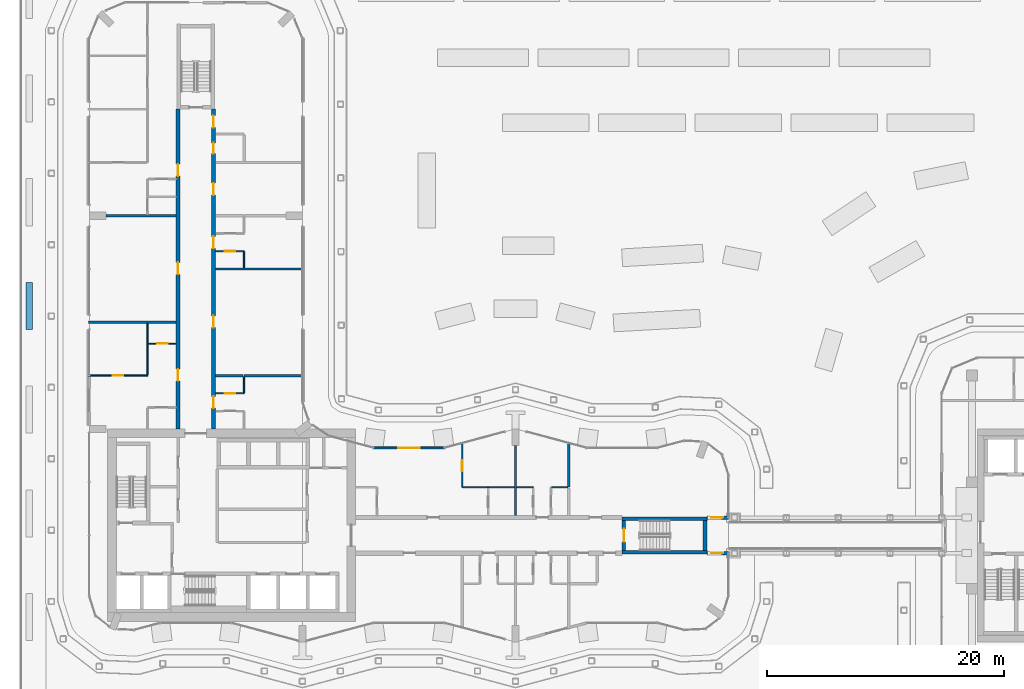
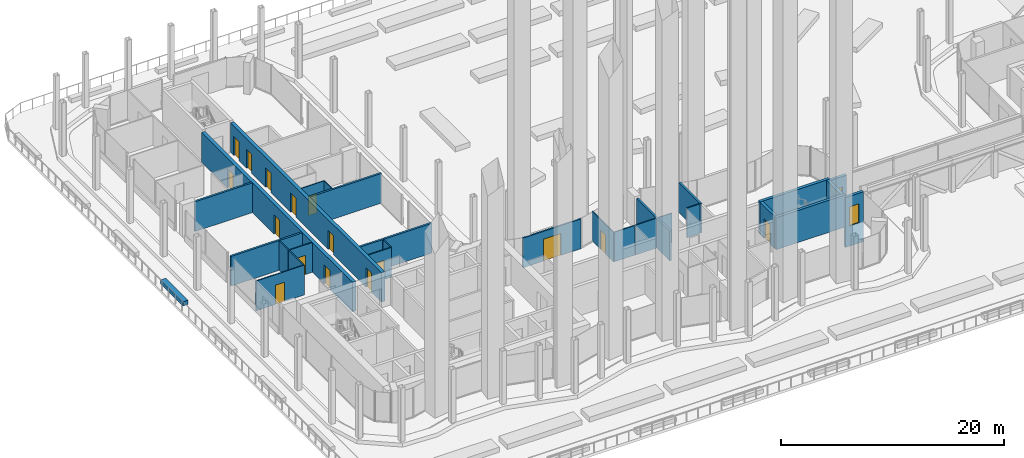
# One storey, part 25 of 33: 30 walls, 18 doors, 18 openings.
"""IFC4 building model written with IfcOpenShell, lengths in metres."""

import ifcopenshell
import ifcopenshell.guid

model = None  # the IFC model being written
_history = None  # IfcOwnerHistory: only IFC2X3 demands one
_inside = {}  # id of a spatial element -> (the spatial element, [elements in it])
_under = {}  # id of a project, library or spatial element -> (it, [spatial elements below it])
_declared = {}  # id of a project -> (the project, [libraries it declares])
_typed = {}  # id of a type object -> (the type object, [elements of that type])
_made_of = {}  # id of a material, layer set ... -> (it, [elements and type objects made of it])


def new_model(schema):
    """Start an empty IFC model of exactly this schema.

    Asked for "IFC4X3", IfcOpenShell would pick the latest addendum, in which some entities
    have other attributes; the version numbers below select the first issue.
    IFC2X3 requires an IfcOwnerHistory on every rooted entity: one is made here for all.
    """
    global model, _history
    if schema == "IFC4X3":
        model = ifcopenshell.file(schema_version=(4, 3, 0, 0))
    else:
        model = ifcopenshell.file(schema=schema)
    _inside.clear()
    _under.clear()
    _declared.clear()
    _typed.clear()
    _made_of.clear()
    _history = None
    if model.schema == "IFC2X3":
        org = make("IfcOrganization", Name="unknown")
        user = make(
            "IfcPersonAndOrganization",
            ThePerson=make("IfcPerson", FamilyName="unknown"),
            TheOrganization=org,
        )
        app = make(
            "IfcApplication",
            ApplicationDeveloper=org,
            Version="unknown",
            ApplicationFullName="unknown",
            ApplicationIdentifier="unknown",
        )
        _history = make(
            "IfcOwnerHistory",
            OwningUser=user,
            OwningApplication=app,
            ChangeAction="ADDED",
            CreationDate=0,
        )
    return model


def make(cls, **values):
    """One entity of the class cls with the attributes given. An attribute that is None is left unset."""
    return model.create_entity(
        cls, **{name: value for name, value in values.items() if value is not None}
    )


def rooted(cls, **values):
    """An entity with a GlobalId (a new one), such as an element, a storey or a relation."""
    return make(cls, GlobalId=ifcopenshell.guid.new(), OwnerHistory=_history, **values)


def si_unit(unit_type, name, prefix=None):
    """IfcSIUnit, for example si_unit("LENGTHUNIT", "METRE", prefix="MILLI")."""
    return make("IfcSIUnit", UnitType=unit_type, Prefix=prefix, Name=name)


def assignment(units):
    """IfcUnitAssignment: the units of a project."""
    return None if units is None else make("IfcUnitAssignment", Units=units)


def point(xyz):
    """IfcCartesianPoint."""
    return None if xyz is None else make("IfcCartesianPoint", Coordinates=xyz)


def direction(xyz):
    """IfcDirection."""
    return None if xyz is None else make("IfcDirection", DirectionRatios=xyz)


def frame(location, z_axis=None, x_axis=None):
    """IfcAxis2Placement3D, a coordinate frame: its origin and axes. An axis left out is left unset."""
    return make(
        "IfcAxis2Placement3D",
        Location=point(location),
        Axis=direction(z_axis),
        RefDirection=direction(x_axis),
    )


def frame_2d(location, x_axis=None):
    """IfcAxis2Placement2D, a coordinate frame in the plane: its origin and x axis."""
    return make(
        "IfcAxis2Placement2D", Location=point(location), RefDirection=direction(x_axis)
    )


def origin():
    """The frame at (0, 0, 0) with its axes left unset."""
    return frame((0.0, 0.0, 0.0))


def place(relative_to, where):
    """IfcLocalPlacement: puts the frame where relative to a parent placement (None: the world)."""
    return make(
        "IfcLocalPlacement", PlacementRelTo=relative_to, RelativePlacement=where
    )


def context(
    kind, dimensions, precision=None, world=None, true_north=None, identifier=None
):
    """IfcGeometricRepresentationContext, for example the 3D "Model" context."""
    return make(
        "IfcGeometricRepresentationContext",
        ContextIdentifier=identifier,
        ContextType=kind,
        CoordinateSpaceDimension=dimensions,
        Precision=precision,
        WorldCoordinateSystem=world,
        TrueNorth=true_north,
    )


def subcontext(parent, identifier, kind, view, scale=None):
    """IfcGeometricRepresentationSubContext, for example "Body" below "Model"."""
    return make(
        "IfcGeometricRepresentationSubContext",
        ContextIdentifier=identifier,
        ContextType=kind,
        ParentContext=parent,
        TargetScale=scale,
        TargetView=view,
    )


def project(units=None, contexts=None):
    """IfcProject with its units and contexts."""
    return rooted(
        "IfcProject",
        Name="project",
        RepresentationContexts=contexts,
        UnitsInContext=assignment(units),
    )


def spatial(cls, under=None, at=None, **own):
    """A site, building, storey or space (cls), placed at a placement, below another one or the project."""
    s = rooted(cls, ObjectPlacement=at, **own)
    if under is not None:
        _under.setdefault(under.id(), (under, []))[1].append(s)
    return s


def profile(cls, at=None, kind="AREA", **sizes):
    """A parametric profile (cls). Its sizes go by their IFC names, for example OverallWidth=200.0."""
    return make(cls, ProfileType=kind, Position=at, **sizes)


def rectangle(**sizes):
    """IfcRectangleProfileDef."""
    return profile("IfcRectangleProfileDef", **sizes)


def extrude(swept, where, along, depth):
    """IfcExtrudedAreaSolid: the profile swept, set in the frame where, extruded along a direction by depth."""
    return make(
        "IfcExtrudedAreaSolid",
        SweptArea=swept,
        Position=where,
        ExtrudedDirection=direction(along),
        Depth=depth,
    )


def shape(context_of_items, identifier, shape_type, items):
    """IfcShapeRepresentation: the items that make up one representation, for example the "Body"."""
    return make(
        "IfcShapeRepresentation",
        ContextOfItems=context_of_items,
        RepresentationIdentifier=identifier,
        RepresentationType=shape_type,
        Items=items,
    )


def material(Name=None, Category=None):
    """IfcMaterial."""
    return make("IfcMaterial", Name=Name, Category=Category)


def layer(
    of_material, thickness, ventilated=None, Name=None, Category=None, Priority=None
):
    """IfcMaterialLayer: one layer of a wall or slab, of a material (None: an air gap)."""
    return make(
        "IfcMaterialLayer",
        Material=of_material,
        LayerThickness=thickness,
        IsVentilated=ventilated,
        Name=Name,
        Category=Category,
        Priority=Priority,
    )


def layer_set(layers, Name=None):
    """IfcMaterialLayerSet."""
    return make("IfcMaterialLayerSet", MaterialLayers=layers, LayerSetName=Name)


def made_of(thing, what):
    """Note that an element or type object is made of a material, layer set ...; save() writes the relation."""
    if what is not None:
        _made_of.setdefault(what.id(), (what, []))[1].append(thing)
    return thing


def type_object(cls, material=None, **own):
    """A type object (cls), such as IfcWallType, which elements share."""
    return made_of(rooted(cls, **own), material)


def element(
    cls,
    number,
    at=None,
    inside=None,
    cuts=None,
    type_object=None,
    material=None,
    context=None,
    identifier="Body",
    shape_type=None,
    held_by="IfcProductDefinitionShape",
    body=None,
    shapes=None,
    **own,
):
    """One element of the class cls, such as IfcWall. Its Tag is "e" and its number.

    at: its placement. inside: the storey or other place that contains it. cuts: it is an
    opening in that element (IfcRelVoidsElement). A single representation is given by context,
    identifier, shape_type and body (its items); several are given by shapes. held_by: the class
    of the entity that holds the representations. save() writes the other relations.
    """
    e = rooted(cls, Tag="e%d" % number, ObjectPlacement=at, **own)
    if body is not None:
        shapes = [shape(context, identifier, shape_type, body)]
    if shapes is not None:
        e.Representation = make(held_by, Representations=shapes)
    if inside is not None:
        _inside.setdefault(inside.id(), (inside, []))[1].append(e)
    if cuts is not None:
        rooted(
            "IfcRelVoidsElement", RelatingBuildingElement=cuts, RelatedOpeningElement=e
        )
    if type_object is not None:
        _typed.setdefault(type_object.id(), (type_object, []))[1].append(e)
    return made_of(e, material)


def fill(opening, filler):
    """IfcRelFillsElement: the door or window that sits in an opening."""
    return rooted(
        "IfcRelFillsElement",
        RelatingOpeningElement=opening,
        RelatedBuildingElement=filler,
    )


def aggregate(whole, parts):
    """IfcRelAggregates: a whole, such as a stair, and the parts it consists of."""
    return rooted("IfcRelAggregates", RelatingObject=whole, RelatedObjects=parts)


def save(model, path):
    """Write the relations noted so far, then the file.

    IfcRelAggregates (storeys below a building ...), IfcRelContainedInSpatialStructure (elements
    in a storey), IfcRelDefinesByType, IfcRelAssociatesMaterial and IfcRelDeclares: one each for
    every whole, place, type object, material and project.
    """
    for whole, parts in _under.values():
        aggregate(whole, parts)
    for where, things in _inside.values():
        rooted(
            "IfcRelContainedInSpatialStructure",
            RelatedElements=things,
            RelatingStructure=where,
        )
    for kind, things in _typed.values():
        rooted("IfcRelDefinesByType", RelatedObjects=things, RelatingType=kind)
    for what, things in _made_of.values():
        rooted("IfcRelAssociatesMaterial", RelatedObjects=things, RelatingMaterial=what)
    for by, libraries in _declared.values():
        rooted("IfcRelDeclares", RelatingContext=by, RelatedDefinitions=libraries)
    model.write(path)


model = new_model("IFC4")

# Units and contexts
model_context = context("Model", 3, precision=1e-05, world=origin(), true_north=direction((0.0, 1.0)))
body_context = subcontext(model_context, "Body", "Model", "MODEL_VIEW")
ifc_project = project(units=[si_unit("LENGTHUNIT", "METRE"), si_unit("AREAUNIT", "SQUARE_METRE"), si_unit("VOLUMEUNIT", "CUBIC_METRE"), si_unit("PLANEANGLEUNIT", "RADIAN"), si_unit("MASSUNIT", "GRAM", prefix="KILO")], contexts=[model_context])

# Site, building, storey
site_placement = place(None, origin())
site = spatial("IfcSite", under=ifc_project, at=site_placement, CompositionType="ELEMENT")
building_placement = place(site_placement, origin())
building = spatial("IfcBuilding", under=site, at=building_placement, Name="Plateau Cross Towers", CompositionType="ELEMENT")
storey_placement = place(building_placement, frame((0.0, 0.0, 26.800048828125)))
storey = spatial("IfcBuildingStorey", under=building, at=storey_placement, Name="L05", CompositionType="ELEMENT", Elevation=26.800048828125)

# Wall, opening, door
ifc_material_1 = material(Name="Concrete C60/75", Category="concrete")
ifc_layer_1 = layer(ifc_material_1, 0.300048828125)
ifc_layer_set_1 = layer_set([ifc_layer_1], Name="Concrete C60/75")
wall_type_1 = type_object("IfcWallType", Name="Bridge stub wall 300", PredefinedType="SHEAR", material=ifc_layer_set_1)
wall_1_placement = place(storey_placement, frame((52.14990234375, 7.5, -2.199951171875), z_axis=(0.0, 0.0, 1.0), x_axis=(1.0, 0.0, 0.0)))
wall_1 = element("IfcWall", 1, at=wall_1_placement, inside=storey, type_object=wall_type_1, Name="A-end-E-bridge-S@L05", PredefinedType="SHEAR", context=body_context, shape_type="SweptSolid", body=[
    extrude(rectangle(XDim=1.85009765625, YDim=0.300048828125, at=frame_2d((0.925048828125, 0.0))), origin(), (0.0, 0.0, 1.0), 5.449951171875),
])
opening_1_placement = place(wall_1_placement, frame((0.39990234375, 0.0, 2.199951171875)))
opening_1 = element("IfcOpeningElement", 2, at=opening_1_placement, cuts=wall_1, Name="Opening 05-39", PredefinedType="OPENING", context=body_context, shape_type="SweptSolid", body=[
    extrude(rectangle(XDim=1.0, YDim=2.10009765625, at=frame_2d((0.5, 1.050048828125))), frame((0.0, 0.159912109375, 0.0), z_axis=(0.0, -1.0, 0.0), x_axis=(1.0, 0.0, 0.0)), (0.0, 0.0, 1.0), 0.320068359375),
])
ifc_material_2 = material(Name="Timber, fire-resisting leaf", Category="wood")
door_type_1 = type_object("IfcDoorType", Name="Link lounge fire door 1000", OperationType="NOTDEFINED", PredefinedType="DOOR", material=ifc_material_2)
door_1_placement = place(opening_1_placement, origin())
door_1 = element("IfcDoor", 3, at=door_1_placement, inside=storey, type_object=door_type_1, Name="Door 05-39", OperationType="SINGLE_SWING_LEFT", OverallHeight=2.10009765625, OverallWidth=1.0, PredefinedType="DOOR", context=body_context, shape_type="SweptSolid", body=[
    extrude(rectangle(XDim=1.0, YDim=2.10009765625, at=frame_2d((0.5, 1.050048828125))), frame((0.0, 0.02490234375, 0.0), z_axis=(0.0, -1.0, 0.0), x_axis=(1.0, 0.0, 0.0)), (0.0, 0.0, 1.0), 0.050048828125),
])
fill(opening_1, door_1)

wall_2_placement = place(storey_placement, frame((52.14990234375, 10.5, -2.199951171875), z_axis=(0.0, 0.0, 1.0), x_axis=(1.0, 0.0, 0.0)))
wall_2 = element("IfcWall", 4, at=wall_2_placement, inside=storey, type_object=wall_type_1, Name="A-end-E-bridge-N@L05", PredefinedType="SHEAR", context=body_context, shape_type="SweptSolid", body=[
    extrude(rectangle(XDim=1.85009765625, YDim=0.300048828125, at=frame_2d((0.925048828125, 0.0))), origin(), (0.0, 0.0, 1.0), 5.449951171875),
])
opening_2_placement = place(wall_2_placement, frame((0.39990234375, 0.0, 2.199951171875)))
opening_2 = element("IfcOpeningElement", 5, at=opening_2_placement, cuts=wall_2, Name="Opening 05-40", PredefinedType="OPENING", context=body_context, shape_type="SweptSolid", body=[
    extrude(rectangle(XDim=1.0, YDim=2.10009765625, at=frame_2d((0.5, 1.050048828125))), frame((0.0, 0.159912109375, 0.0), z_axis=(0.0, -1.0, 0.0), x_axis=(1.0, 0.0, 0.0)), (0.0, 0.0, 1.0), 0.320068359375),
])
door_2_placement = place(opening_2_placement, origin())
door_2 = element("IfcDoor", 6, at=door_2_placement, inside=storey, type_object=door_type_1, Name="Door 05-40", OperationType="SINGLE_SWING_LEFT", OverallHeight=2.10009765625, OverallWidth=1.0, PredefinedType="DOOR", context=body_context, shape_type="SweptSolid", body=[
    extrude(rectangle(XDim=1.0, YDim=2.10009765625, at=frame_2d((0.5, 1.050048828125))), frame((0.0, 0.02490234375, 0.0), z_axis=(0.0, -1.0, 0.0), x_axis=(1.0, 0.0, 0.0)), (0.0, 0.0, 1.0), 0.050048828125),
])
fill(opening_2, door_2)

# Wall, openings, doors
ifc_layer_2 = layer(ifc_material_1, 0.35009765625)
ifc_layer_set_2 = layer_set([ifc_layer_2], Name="Concrete C60/75")
wall_type_2 = type_object("IfcWallType", Name="Corridor wall 350", PredefinedType="SHEAR", material=ifc_layer_set_2)
wall_3_placement = place(storey_placement, frame((7.5, 18.0, 0.0), z_axis=(0.0, 0.0, 1.0), x_axis=(0.0, 1.0, 0.0)))
wall_3 = element("IfcWall", 7, at=wall_3_placement, inside=storey, type_object=wall_type_2, Name="A-cw-W1@L05", PredefinedType="SHEAR", context=body_context, shape_type="SweptSolid", body=[
    extrude(rectangle(XDim=27.0, YDim=0.35009765625, at=frame_2d((13.5, 0.0))), origin(), (0.0, 0.0, 1.0), 3.25),
])
opening_3_placement = place(wall_3_placement, frame((4.050048828125, 0.0, 0.0)))
opening_3 = element("IfcOpeningElement", 8, at=opening_3_placement, cuts=wall_3, Name="Opening 05-09", PredefinedType="OPENING", context=body_context, shape_type="SweptSolid", body=[
    extrude(rectangle(XDim=1.0, YDim=2.10009765625, at=frame_2d((0.5, 1.050048828125))), frame((0.0, 0.18505859375, 0.0), z_axis=(0.0, -1.0, 0.0), x_axis=(1.0, 0.0, 0.0)), (0.0, 0.0, 1.0), 0.3701171875),
])
opening_4_placement = place(wall_3_placement, frame((13.050048828125, 0.0, 0.0)))
opening_4 = element("IfcOpeningElement", 9, at=opening_4_placement, cuts=wall_3, Name="Opening 05-10", PredefinedType="OPENING", context=body_context, shape_type="SweptSolid", body=[
    extrude(rectangle(XDim=1.0, YDim=2.10009765625, at=frame_2d((0.5, 1.050048828125))), frame((0.0, 0.18505859375, 0.0), z_axis=(0.0, -1.0, 0.0), x_axis=(1.0, 0.0, 0.0)), (0.0, 0.0, 1.0), 0.3701171875),
])
opening_5_placement = place(wall_3_placement, frame((21.35009765625, 0.0, 0.0)))
opening_5 = element("IfcOpeningElement", 10, at=opening_5_placement, cuts=wall_3, Name="Opening 05-11", PredefinedType="OPENING", context=body_context, shape_type="SweptSolid", body=[
    extrude(rectangle(XDim=1.0, YDim=2.10009765625, at=frame_2d((0.5, 1.050048828125))), frame((0.0, 0.18505859375, 0.0), z_axis=(0.0, -1.0, 0.0), x_axis=(1.0, 0.0, 0.0)), (0.0, 0.0, 1.0), 0.3701171875),
])
door_type_2 = type_object("IfcDoorType", Name="Flat entrance door 1000", OperationType="NOTDEFINED", PredefinedType="DOOR", material=ifc_material_2)
door_3_placement = place(opening_3_placement, origin())
door_3 = element("IfcDoor", 11, at=door_3_placement, inside=storey, type_object=door_type_2, Name="Door 05-09", OperationType="SINGLE_SWING_LEFT", OverallHeight=2.10009765625, OverallWidth=1.0, PredefinedType="DOOR", context=body_context, shape_type="SweptSolid", body=[
    extrude(rectangle(XDim=1.0, YDim=2.10009765625, at=frame_2d((0.5, 1.050048828125))), frame((0.0, 0.02490234375, 0.0), z_axis=(0.0, -1.0, 0.0), x_axis=(1.0, 0.0, 0.0)), (0.0, 0.0, 1.0), 0.050048828125),
])
fill(opening_3, door_3)
door_4_placement = place(opening_4_placement, origin())
door_4 = element("IfcDoor", 12, at=door_4_placement, inside=storey, type_object=door_type_2, Name="Door 05-10", OperationType="SINGLE_SWING_RIGHT", OverallHeight=2.10009765625, OverallWidth=1.0, PredefinedType="DOOR", context=body_context, shape_type="SweptSolid", body=[
    extrude(rectangle(XDim=1.0, YDim=2.10009765625, at=frame_2d((0.5, 1.050048828125))), frame((0.0, 0.02490234375, 0.0), z_axis=(0.0, -1.0, 0.0), x_axis=(1.0, 0.0, 0.0)), (0.0, 0.0, 1.0), 0.050048828125),
])
fill(opening_4, door_4)
door_5_placement = place(opening_5_placement, origin())
door_5 = element("IfcDoor", 13, at=door_5_placement, inside=storey, type_object=door_type_2, Name="Door 05-11", OperationType="SINGLE_SWING_RIGHT", OverallHeight=2.10009765625, OverallWidth=1.0, PredefinedType="DOOR", context=body_context, shape_type="SweptSolid", body=[
    extrude(rectangle(XDim=1.0, YDim=2.10009765625, at=frame_2d((0.5, 1.050048828125))), frame((0.0, 0.02490234375, 0.0), z_axis=(0.0, -1.0, 0.0), x_axis=(1.0, 0.0, 0.0)), (0.0, 0.0, 1.0), 0.050048828125),
])
fill(opening_5, door_5)

wall_4_placement = place(storey_placement, frame((10.5, 18.0, 0.0), z_axis=(0.0, 0.0, 1.0), x_axis=(0.0, 1.0, 0.0)))
wall_4 = element("IfcWall", 14, at=wall_4_placement, inside=storey, type_object=wall_type_2, Name="A-cw-W2@L05", PredefinedType="SHEAR", context=body_context, shape_type="SweptSolid", body=[
    extrude(rectangle(XDim=27.0, YDim=0.35009765625, at=frame_2d((13.5, 0.0))), origin(), (0.0, 0.0, 1.0), 3.25),
])
opening_6_placement = place(wall_4_placement, frame((1.75, 0.0, 0.0)))
opening_6 = element("IfcOpeningElement", 15, at=opening_6_placement, cuts=wall_4, Name="Opening 05-12", PredefinedType="OPENING", context=body_context, shape_type="SweptSolid", body=[
    extrude(rectangle(XDim=1.0, YDim=2.10009765625, at=frame_2d((0.5, 1.050048828125))), frame((0.0, 0.18505859375, 0.0), z_axis=(0.0, -1.0, 0.0), x_axis=(1.0, 0.0, 0.0)), (0.0, 0.0, 1.0), 0.3701171875),
])
opening_7_placement = place(wall_4_placement, frame((8.550048828125, 0.0, 0.0)))
opening_7 = element("IfcOpeningElement", 16, at=opening_7_placement, cuts=wall_4, Name="Opening 05-13", PredefinedType="OPENING", context=body_context, shape_type="SweptSolid", body=[
    extrude(rectangle(XDim=1.0, YDim=2.10009765625, at=frame_2d((0.5, 1.050048828125))), frame((0.0, 0.18505859375, 0.0), z_axis=(0.0, -1.0, 0.0), x_axis=(1.0, 0.0, 0.0)), (0.0, 0.0, 1.0), 0.3701171875),
])
opening_8_placement = place(wall_4_placement, frame((15.25, 0.0, 0.0)))
opening_8 = element("IfcOpeningElement", 17, at=opening_8_placement, cuts=wall_4, Name="Opening 05-14", PredefinedType="OPENING", context=body_context, shape_type="SweptSolid", body=[
    extrude(rectangle(XDim=1.0, YDim=2.10009765625, at=frame_2d((0.5, 1.050048828125))), frame((0.0, 0.18505859375, 0.0), z_axis=(0.0, -1.0, 0.0), x_axis=(1.0, 0.0, 0.0)), (0.0, 0.0, 1.0), 0.3701171875),
])
opening_9_placement = place(wall_4_placement, frame((19.75, 0.0, 0.0)))
opening_9 = element("IfcOpeningElement", 18, at=opening_9_placement, cuts=wall_4, Name="Opening 05-15", PredefinedType="OPENING", context=body_context, shape_type="SweptSolid", body=[
    extrude(rectangle(XDim=1.0, YDim=2.10009765625, at=frame_2d((0.5, 1.050048828125))), frame((0.0, 0.18505859375, 0.0), z_axis=(0.0, -1.0, 0.0), x_axis=(1.0, 0.0, 0.0)), (0.0, 0.0, 1.0), 0.3701171875),
])
opening_10_placement = place(wall_4_placement, frame((23.25, 0.0, 0.0)))
opening_10 = element("IfcOpeningElement", 19, at=opening_10_placement, cuts=wall_4, Name="Opening 05-16", PredefinedType="OPENING", context=body_context, shape_type="SweptSolid", body=[
    extrude(rectangle(XDim=0.89990234375, YDim=2.10009765625, at=frame_2d((0.449951171875, 1.050048828125))), frame((0.0, 0.18505859375, 0.0), z_axis=(0.0, -1.0, 0.0), x_axis=(1.0, 0.0, 0.0)), (0.0, 0.0, 1.0), 0.3701171875),
])
opening_11_placement = place(wall_4_placement, frame((25.449951171875, 0.0, 0.0)))
opening_11 = element("IfcOpeningElement", 20, at=opening_11_placement, cuts=wall_4, Name="Opening 05-17", PredefinedType="OPENING", context=body_context, shape_type="SweptSolid", body=[
    extrude(rectangle(XDim=1.0, YDim=2.10009765625, at=frame_2d((0.5, 1.050048828125))), frame((0.0, 0.18505859375, 0.0), z_axis=(0.0, -1.0, 0.0), x_axis=(1.0, 0.0, 0.0)), (0.0, 0.0, 1.0), 0.3701171875),
])
door_6_placement = place(opening_6_placement, origin())
door_6 = element("IfcDoor", 21, at=door_6_placement, inside=storey, type_object=door_type_2, Name="Door 05-12", OperationType="SINGLE_SWING_LEFT", OverallHeight=2.10009765625, OverallWidth=1.0, PredefinedType="DOOR", context=body_context, shape_type="SweptSolid", body=[
    extrude(rectangle(XDim=1.0, YDim=2.10009765625, at=frame_2d((0.5, 1.050048828125))), frame((0.0, 0.02490234375, 0.0), z_axis=(0.0, -1.0, 0.0), x_axis=(1.0, 0.0, 0.0)), (0.0, 0.0, 1.0), 0.050048828125),
])
fill(opening_6, door_6)
door_7_placement = place(opening_7_placement, origin())
door_7 = element("IfcDoor", 22, at=door_7_placement, inside=storey, type_object=door_type_2, Name="Door 05-13", OperationType="SINGLE_SWING_LEFT", OverallHeight=2.10009765625, OverallWidth=1.0, PredefinedType="DOOR", context=body_context, shape_type="SweptSolid", body=[
    extrude(rectangle(XDim=1.0, YDim=2.10009765625, at=frame_2d((0.5, 1.050048828125))), frame((0.0, 0.02490234375, 0.0), z_axis=(0.0, -1.0, 0.0), x_axis=(1.0, 0.0, 0.0)), (0.0, 0.0, 1.0), 0.050048828125),
])
fill(opening_7, door_7)
door_8_placement = place(opening_8_placement, origin())
door_8 = element("IfcDoor", 23, at=door_8_placement, inside=storey, type_object=door_type_2, Name="Door 05-14", OperationType="SINGLE_SWING_RIGHT", OverallHeight=2.10009765625, OverallWidth=1.0, PredefinedType="DOOR", context=body_context, shape_type="SweptSolid", body=[
    extrude(rectangle(XDim=1.0, YDim=2.10009765625, at=frame_2d((0.5, 1.050048828125))), frame((0.0, 0.02490234375, 0.0), z_axis=(0.0, -1.0, 0.0), x_axis=(1.0, 0.0, 0.0)), (0.0, 0.0, 1.0), 0.050048828125),
])
fill(opening_8, door_8)
door_9_placement = place(opening_9_placement, origin())
door_9 = element("IfcDoor", 24, at=door_9_placement, inside=storey, type_object=door_type_2, Name="Door 05-15", OperationType="SINGLE_SWING_RIGHT", OverallHeight=2.10009765625, OverallWidth=1.0, PredefinedType="DOOR", context=body_context, shape_type="SweptSolid", body=[
    extrude(rectangle(XDim=1.0, YDim=2.10009765625, at=frame_2d((0.5, 1.050048828125))), frame((0.0, 0.02490234375, 0.0), z_axis=(0.0, -1.0, 0.0), x_axis=(1.0, 0.0, 0.0)), (0.0, 0.0, 1.0), 0.050048828125),
])
fill(opening_9, door_9)
door_10_placement = place(opening_11_placement, origin())
door_10 = element("IfcDoor", 25, at=door_10_placement, inside=storey, type_object=door_type_2, Name="Door 05-17", OperationType="SINGLE_SWING_RIGHT", OverallHeight=2.10009765625, OverallWidth=1.0, PredefinedType="DOOR", context=body_context, shape_type="SweptSolid", body=[
    extrude(rectangle(XDim=1.0, YDim=2.10009765625, at=frame_2d((0.5, 1.050048828125))), frame((0.0, 0.02490234375, 0.0), z_axis=(0.0, -1.0, 0.0), x_axis=(1.0, 0.0, 0.0)), (0.0, 0.0, 1.0), 0.050048828125),
])
fill(opening_11, door_10)
door_type_3 = type_object("IfcDoorType", Name="Flat floor service door 900", OperationType="NOTDEFINED", PredefinedType="DOOR", material=ifc_material_2)
door_11_placement = place(opening_10_placement, origin())
door_11 = element("IfcDoor", 26, at=door_11_placement, inside=storey, type_object=door_type_3, Name="Door 05-16", OperationType="SINGLE_SWING_RIGHT", OverallHeight=2.10009765625, OverallWidth=0.89990234375, PredefinedType="DOOR", context=body_context, shape_type="SweptSolid", body=[
    extrude(rectangle(XDim=0.89990234375, YDim=2.10009765625, at=frame_2d((0.449951171875, 1.050048828125))), frame((0.0, 0.02490234375, 0.0), z_axis=(0.0, -1.0, 0.0), x_axis=(1.0, 0.0, 0.0)), (0.0, 0.0, 1.0), 0.050048828125),
])
fill(opening_10, door_11)

# Wall, opening, door
ifc_material_3 = material(Name="Aluminium framed glazing", Category="aluminium")
ifc_layer_3 = layer(ifc_material_3, 0.159912109375)
ifc_layer_set_3 = layer_set([ifc_layer_3], Name="Aluminium framed glazing")
wall_type_3 = type_object("IfcWallType", Name="Entrance screen wall 160", PredefinedType="STANDARD", material=ifc_layer_set_3)
wall_5_placement = place(storey_placement, frame((24.0, 16.39306640625, 0.0), z_axis=(0.0, 0.0, 1.0), x_axis=(1.0, 0.0, 0.0)))
wall_5 = element("IfcWall", 27, at=wall_5_placement, inside=storey, type_object=wall_type_3, Name="Deck A2 screen wall", PredefinedType="STANDARD", context=body_context, shape_type="SweptSolid", body=[
    extrude(rectangle(XDim=6.0, YDim=0.159912109375, at=frame_2d((3.0, 0.0))), origin(), (0.0, 0.0, 1.0), 3.25),
])
opening_12_placement = place(wall_5_placement, frame((2.10009765625, 0.0, 0.0)))
opening_12 = element("IfcOpeningElement", 28, at=opening_12_placement, cuts=wall_5, Name="Opening XD1", PredefinedType="OPENING", context=body_context, shape_type="SweptSolid", body=[
    extrude(rectangle(XDim=1.800048828125, YDim=2.39990234375, at=frame_2d((0.89990234375, 1.199951171875))), frame((0.0, 0.08984375, 0.0), z_axis=(0.0, -1.0, 0.0), x_axis=(1.0, 0.0, 0.0)), (0.0, 0.0, 1.0), 0.179931640625),
])
door_type_4 = type_object("IfcDoorType", Name="Terrace door double leaf 1800x2400", OperationType="DOUBLE_DOOR_SINGLE_SWING", PredefinedType="DOOR", material=ifc_material_3)
door_12_placement = place(opening_12_placement, origin())
door_12 = element("IfcDoor", 29, at=door_12_placement, inside=storey, type_object=door_type_4, Name="Deck A2 door", OperationType="SINGLE_SWING_LEFT", OverallHeight=2.39990234375, OverallWidth=1.800048828125, PredefinedType="DOOR", context=body_context, shape_type="SweptSolid", body=[
    extrude(rectangle(XDim=1.800048828125, YDim=2.39990234375, at=frame_2d((0.89990234375, 1.199951171875))), frame((0.0, 0.02490234375, 0.0), z_axis=(0.0, -1.0, 0.0), x_axis=(1.0, 0.0, 0.0)), (0.0, 0.0, 1.0), 0.050048828125),
])
fill(opening_12, door_12)

# Walls
ifc_material_4 = material(Name="Gypsum board on steel studs", Category="steel")
ifc_layer_4 = layer(ifc_material_4, 0.10009765625)
ifc_layer_set_4 = layer_set([ifc_layer_4], Name="Gypsum board on steel studs")
wall_type_4 = type_object("IfcWallType", Name="Flat partition 100", PredefinedType="PARTITIONING", material=ifc_layer_set_4)
wall_6_placement = place(storey_placement, frame((35.89990234375, 13.074951171875, 0.0), z_axis=(0.0, 0.0, 1.0), x_axis=(-1.0, 0.0, 0.0)))
element("IfcWall", 30, at=wall_6_placement, inside=storey, type_object=wall_type_4, Name="Partition wall", PredefinedType="PARTITIONING", context=body_context, shape_type="SweptSolid", body=[
    extrude(rectangle(XDim=2.199951171875, YDim=0.10009765625, at=frame_2d((1.10009765625, 0.0))), origin(), (0.0, 0.0, 1.0), 3.25),
])
wall_7_placement = place(storey_placement, frame((37.5, 13.074951171875, 0.0), z_axis=(0.0, 0.0, 1.0), x_axis=(-1.0, 0.0, 0.0)))
element("IfcWall", 31, at=wall_7_placement, inside=storey, type_object=wall_type_4, Name="Partition wall", PredefinedType="PARTITIONING", context=body_context, shape_type="SweptSolid", body=[
    extrude(rectangle(XDim=1.39990234375, YDim=0.10009765625, at=frame_2d((0.699951171875, 0.0))), origin(), (0.0, 0.0, 1.0), 3.25),
])
wall_8_placement = place(storey_placement, frame((40.39990234375, 13.074951171875, 0.0), z_axis=(0.0, 0.0, 1.0), x_axis=(-1.0, 0.0, 0.0)))
element("IfcWall", 32, at=wall_8_placement, inside=storey, type_object=wall_type_4, Name="Partition wall", PredefinedType="PARTITIONING", context=body_context, shape_type="SweptSolid", body=[
    extrude(rectangle(XDim=1.349853515625, YDim=0.10009765625, at=frame_2d((0.6748046875, 0.0))), origin(), (0.0, 0.0, 1.0), 3.25),
])
wall_9_placement = place(storey_placement, frame((31.550048828125, 13.074951171875, 0.0), z_axis=(0.0, 0.0, 1.0), x_axis=(1.0, 0.0, 0.0)))
element("IfcWall", 33, at=wall_9_placement, inside=storey, type_object=wall_type_4, Name="Partition wall", PredefinedType="PARTITIONING", context=body_context, shape_type="SweptSolid", body=[
    extrude(rectangle(XDim=2.099853515625, YDim=0.10009765625, at=frame_2d((1.0498046875, 0.0))), origin(), (0.0, 0.0, 1.0), 3.25),
])

# Wall, opening, door
wall_10_placement = place(storey_placement, frame((10.675048828125, 21.0, 0.0), z_axis=(0.0, 0.0, 1.0), x_axis=(1.0, 0.0, 0.0)))
wall_10 = element("IfcWall", 34, at=wall_10_placement, inside=storey, type_object=wall_type_4, Name="Partition wall", PredefinedType="PARTITIONING", context=body_context, shape_type="SweptSolid", body=[
    extrude(rectangle(XDim=2.39990234375, YDim=0.10009765625, at=frame_2d((1.199951171875, 0.0))), origin(), (0.0, 0.0, 1.0), 3.25),
])
opening_13_placement = place(wall_10_placement, frame((0.75, 0.0, 0.0)))
opening_13 = element("IfcOpeningElement", 35, at=opening_13_placement, cuts=wall_10, Name="Opening 05-36", PredefinedType="OPENING", context=body_context, shape_type="SweptSolid", body=[
    extrude(rectangle(XDim=0.89990234375, YDim=2.10009765625, at=frame_2d((0.449951171875, 1.050048828125))), frame((0.0, 0.06005859375, 0.0), z_axis=(0.0, -1.0, 0.0), x_axis=(1.0, 0.0, 0.0)), (0.0, 0.0, 1.0), 0.1201171875),
])
ifc_material_5 = material(Name="Timber leaf", Category="wood")
door_type_5 = type_object("IfcDoorType", Name="Flat room door 900", OperationType="NOTDEFINED", PredefinedType="DOOR", material=ifc_material_5)
door_13_placement = place(opening_13_placement, origin())
door_13 = element("IfcDoor", 36, at=door_13_placement, inside=storey, type_object=door_type_5, Name="Door 05-36", OperationType="SINGLE_SWING_RIGHT", OverallHeight=2.10009765625, OverallWidth=0.89990234375, PredefinedType="DOOR", context=body_context, shape_type="SweptSolid", body=[
    extrude(rectangle(XDim=0.89990234375, YDim=2.10009765625, at=frame_2d((0.449951171875, 1.050048828125))), frame((0.0, 0.02490234375, 0.0), z_axis=(0.0, -1.0, 0.0), x_axis=(1.0, 0.0, 0.0)), (0.0, 0.0, 1.0), 0.050048828125),
])
fill(opening_13, door_13)

wall_11_placement = place(storey_placement, frame((-0.080078125, 22.5, 0.0), z_axis=(0.0, 0.0, 1.0), x_axis=(1.0, 0.0, 0.0)))
wall_11 = element("IfcWall", 37, at=wall_11_placement, inside=storey, type_object=wall_type_4, Name="Partition wall", PredefinedType="PARTITIONING", context=body_context, shape_type="SweptSolid", body=[
    extrude(rectangle(XDim=5.005126953125, YDim=0.10009765625, at=frame_2d((2.50244140625, 0.0))), origin(), (0.0, 0.0, 1.0), 3.25),
])
opening_14_placement = place(wall_11_placement, frame((2.050048828125, 0.0, 0.0)))
opening_14 = element("IfcOpeningElement", 38, at=opening_14_placement, cuts=wall_11, Name="Opening 05-29", PredefinedType="OPENING", context=body_context, shape_type="SweptSolid", body=[
    extrude(rectangle(XDim=0.89990234375, YDim=2.10009765625, at=frame_2d((0.449951171875, 1.050048828125))), frame((0.0, 0.06005859375, 0.0), z_axis=(0.0, -1.0, 0.0), x_axis=(1.0, 0.0, 0.0)), (0.0, 0.0, 1.0), 0.1201171875),
])
door_14_placement = place(opening_14_placement, origin())
door_14 = element("IfcDoor", 39, at=door_14_placement, inside=storey, type_object=door_type_5, Name="Door 05-29", OperationType="SINGLE_SWING_LEFT", OverallHeight=2.10009765625, OverallWidth=0.89990234375, PredefinedType="DOOR", context=body_context, shape_type="SweptSolid", body=[
    extrude(rectangle(XDim=0.89990234375, YDim=2.10009765625, at=frame_2d((0.449951171875, 1.050048828125))), frame((0.0, 0.02490234375, 0.0), z_axis=(0.0, -1.0, 0.0), x_axis=(1.0, 0.0, 0.0)), (0.0, 0.0, 1.0), 0.050048828125),
])
fill(opening_14, door_14)

wall_12_placement = place(storey_placement, frame((4.97509765625, 25.199951171875, 0.0), z_axis=(0.0, 0.0, 1.0), x_axis=(1.0, 0.0, 0.0)))
wall_12 = element("IfcWall", 40, at=wall_12_placement, inside=storey, type_object=wall_type_4, Name="Partition wall", PredefinedType="PARTITIONING", context=body_context, shape_type="SweptSolid", body=[
    extrude(rectangle(XDim=2.349853515625, YDim=0.10009765625, at=frame_2d((1.1748046875, 0.0))), origin(), (0.0, 0.0, 1.0), 3.25),
])
opening_15_placement = place(wall_12_placement, frame((0.75, 0.0, 0.0)))
opening_15 = element("IfcOpeningElement", 41, at=opening_15_placement, cuts=wall_12, Name="Opening 05-28", PredefinedType="OPENING", context=body_context, shape_type="SweptSolid", body=[
    extrude(rectangle(XDim=0.89990234375, YDim=2.10009765625, at=frame_2d((0.449951171875, 1.050048828125))), frame((0.0, 0.06005859375, 0.0), z_axis=(0.0, -1.0, 0.0), x_axis=(1.0, 0.0, 0.0)), (0.0, 0.0, 1.0), 0.1201171875),
])
door_15_placement = place(opening_15_placement, origin())
door_15 = element("IfcDoor", 42, at=door_15_placement, inside=storey, type_object=door_type_5, Name="Door 05-28", OperationType="SINGLE_SWING_RIGHT", OverallHeight=2.10009765625, OverallWidth=0.89990234375, PredefinedType="DOOR", context=body_context, shape_type="SweptSolid", body=[
    extrude(rectangle(XDim=0.89990234375, YDim=2.10009765625, at=frame_2d((0.449951171875, 1.050048828125))), frame((0.0, 0.02490234375, 0.0), z_axis=(0.0, -1.0, 0.0), x_axis=(1.0, 0.0, 0.0)), (0.0, 0.0, 1.0), 0.050048828125),
])
fill(opening_15, door_15)

wall_13_placement = place(storey_placement, frame((13.074951171875, 33.0, 0.0), z_axis=(0.0, 0.0, 1.0), x_axis=(-1.0, 0.0, 0.0)))
wall_13 = element("IfcWall", 43, at=wall_13_placement, inside=storey, type_object=wall_type_4, Name="Partition wall", PredefinedType="PARTITIONING", context=body_context, shape_type="SweptSolid", body=[
    extrude(rectangle(XDim=2.39990234375, YDim=0.10009765625, at=frame_2d((1.199951171875, 0.0))), origin(), (0.0, 0.0, 1.0), 3.25),
])
opening_16_placement = place(wall_13_placement, frame((0.75, 0.0, 0.0)))
opening_16 = element("IfcOpeningElement", 44, at=opening_16_placement, cuts=wall_13, Name="Opening 05-37", PredefinedType="OPENING", context=body_context, shape_type="SweptSolid", body=[
    extrude(rectangle(XDim=0.89990234375, YDim=2.10009765625, at=frame_2d((0.449951171875, 1.050048828125))), frame((0.0, 0.06005859375, 0.0), z_axis=(0.0, -1.0, 0.0), x_axis=(1.0, 0.0, 0.0)), (0.0, 0.0, 1.0), 0.1201171875),
])
door_16_placement = place(opening_16_placement, origin())
door_16 = element("IfcDoor", 45, at=door_16_placement, inside=storey, type_object=door_type_5, Name="Door 05-37", OperationType="SINGLE_SWING_RIGHT", OverallHeight=2.10009765625, OverallWidth=0.89990234375, PredefinedType="DOOR", context=body_context, shape_type="SweptSolid", body=[
    extrude(rectangle(XDim=0.89990234375, YDim=2.10009765625, at=frame_2d((0.449951171875, 1.050048828125))), frame((0.0, 0.02490234375, 0.0), z_axis=(0.0, -1.0, 0.0), x_axis=(1.0, 0.0, 0.0)), (0.0, 0.0, 1.0), 0.050048828125),
])
fill(opening_16, door_16)

# Walls
wall_14_placement = place(storey_placement, frame((4.925048828125, 26.89990234375, 0.0), z_axis=(0.0, 0.0, 1.0), x_axis=(0.0, -1.0, 0.0)))
element("IfcWall", 46, at=wall_14_placement, inside=storey, type_object=wall_type_4, Name="Partition wall", PredefinedType="PARTITIONING", context=body_context, shape_type="SweptSolid", body=[
    extrude(rectangle(XDim=1.64990234375, YDim=0.10009765625, at=frame_2d((0.824951171875, 0.0))), origin(), (0.0, 0.0, 1.0), 3.25),
])
wall_15_placement = place(storey_placement, frame((4.925048828125, 22.550048828125, 0.0), z_axis=(0.0, 0.0, 1.0), x_axis=(0.0, 1.0, 0.0)))
element("IfcWall", 47, at=wall_15_placement, inside=storey, type_object=wall_type_4, Name="Partition wall", PredefinedType="PARTITIONING", context=body_context, shape_type="SweptSolid", body=[
    extrude(rectangle(XDim=2.64990234375, YDim=0.10009765625, at=frame_2d((1.324951171875, 0.0))), origin(), (0.0, 0.0, 1.0), 3.25),
])
for number, where, z_axis, x_axis, name in (
    (48, (13.074951171875, 21.050048828125, 0.0), (0.0, 0.0, 1.0), (0.0, 1.0, 0.0), "Partition wall"),
    (49, (13.074951171875, 31.60009765625, 0.0), (0.0, 0.0, 1.0), (0.0, 1.0, 0.0), "Partition wall"),
):
    element("IfcWall", number, at=place(storey_placement, frame(where, z_axis=z_axis, x_axis=x_axis)), inside=storey, type_object=wall_type_4, Name=name, PredefinedType="PARTITIONING", context=body_context, shape_type="SweptSolid", body=[
        extrude(rectangle(XDim=1.349853515625, YDim=0.10009765625, at=frame_2d((0.6748046875, 0.0))), origin(), (0.0, 0.0, 1.0), 3.25),
    ])

# Wall, opening, door
wall_16_placement = place(storey_placement, frame((31.5, 16.877685546875, 0.0), z_axis=(0.0, 0.0, 1.0), x_axis=(0.0, -1.0, 0.0)))
wall_16 = element("IfcWall", 50, at=wall_16_placement, inside=storey, type_object=wall_type_4, Name="Partition wall", PredefinedType="PARTITIONING", context=body_context, shape_type="SweptSolid", body=[
    extrude(rectangle(XDim=3.802734375, YDim=0.10009765625, at=frame_2d((1.9013671875, 0.0))), origin(), (0.0, 0.0, 1.0), 3.25),
])
opening_17_placement = place(wall_16_placement, frame((1.550048828125, 0.0, 0.0)))
opening_17 = element("IfcOpeningElement", 51, at=opening_17_placement, cuts=wall_16, Name="Opening 05-24", PredefinedType="OPENING", context=body_context, shape_type="SweptSolid", body=[
    extrude(rectangle(XDim=0.89990234375, YDim=2.10009765625, at=frame_2d((0.449951171875, 1.050048828125))), frame((0.0, 0.06005859375, 0.0), z_axis=(0.0, -1.0, 0.0), x_axis=(1.0, 0.0, 0.0)), (0.0, 0.0, 1.0), 0.1201171875),
])
door_17_placement = place(opening_17_placement, origin())
door_17 = element("IfcDoor", 52, at=door_17_placement, inside=storey, type_object=door_type_5, Name="Door 05-24", OperationType="SINGLE_SWING_RIGHT", OverallHeight=2.10009765625, OverallWidth=0.89990234375, PredefinedType="DOOR", context=body_context, shape_type="SweptSolid", body=[
    extrude(rectangle(XDim=0.89990234375, YDim=2.10009765625, at=frame_2d((0.449951171875, 1.050048828125))), frame((0.0, 0.02490234375, 0.0), z_axis=(0.0, -1.0, 0.0), x_axis=(1.0, 0.0, 0.0)), (0.0, 0.0, 1.0), 0.050048828125),
])
fill(opening_17, door_17)

# Walls
ifc_material_6 = material(Name="Gypsum board on steel studs, two layers each side", Category="steel")
ifc_layer_5 = layer(ifc_material_6, 0.199951171875)
ifc_layer_set_5 = layer_set([ifc_layer_5], Name="Gypsum board on steel studs, two layers each side")
wall_type_5 = type_object("IfcWallType", Name="Flat party wall 200", PredefinedType="PARTITIONING", material=ifc_layer_set_5)
wall_17_placement = place(storey_placement, frame((12.97509765625, 22.5, 0.0), z_axis=(0.0, 0.0, 1.0), x_axis=(-1.0, 0.0, 0.0)))
element("IfcWall", 53, at=wall_17_placement, inside=storey, type_object=wall_type_5, Name="Party wall", PredefinedType="PARTITIONING", context=body_context, shape_type="SweptSolid", body=[
    extrude(rectangle(XDim=2.300048828125, YDim=0.199951171875, at=frame_2d((1.14990234375, 0.0))), origin(), (0.0, 0.0, 1.0), 3.25),
])
wall_18_placement = place(storey_placement, frame((13.074951171875, 22.5, 0.0), z_axis=(0.0, 0.0, 1.0), x_axis=(1.0, 0.0, 0.0)))
element("IfcWall", 54, at=wall_18_placement, inside=storey, type_object=wall_type_5, Name="Party wall", PredefinedType="PARTITIONING", context=body_context, shape_type="SweptSolid", body=[
    extrude(rectangle(XDim=5.005126953125, YDim=0.199951171875, at=frame_2d((2.50244140625, 0.0))), origin(), (0.0, 0.0, 1.0), 3.25),
])
for number, where, z_axis, x_axis, name in (
    (55, (7.324951171875, 27.0, 0.0), (0.0, 0.0, 1.0), (-1.0, 0.0, 0.0), "Party wall"),
    (56, (18.080078125, 31.5, 0.0), (0.0, 0.0, 1.0), (-1.0, 0.0, 0.0), "Party wall"),
):
    element("IfcWall", number, at=place(storey_placement, frame(where, z_axis=z_axis, x_axis=x_axis)), inside=storey, type_object=wall_type_5, Name=name, PredefinedType="PARTITIONING", context=body_context, shape_type="SweptSolid", body=[
        extrude(rectangle(XDim=7.405029296875, YDim=0.199951171875, at=frame_2d((3.70263671875, 0.0))), origin(), (0.0, 0.0, 1.0), 3.25),
    ])
for number, where, z_axis, x_axis, name in (
    (57, (7.324951171875, 36.0, 0.0), (0.0, 0.0, 1.0), (-1.0, 0.0, 0.0), "Party wall"),
    (58, (36.0, 10.675048828125, 0.0), (0.0, 0.0, 1.0), (0.0, 1.0, 0.0), "Party wall"),
):
    element("IfcWall", number, at=place(storey_placement, frame(where, z_axis=z_axis, x_axis=x_axis)), inside=storey, type_object=wall_type_5, Name=name, PredefinedType="PARTITIONING", context=body_context, shape_type="SweptSolid", body=[
        extrude(rectangle(XDim=5.925048828125, YDim=0.199951171875, at=frame_2d((2.96240234375, 0.0))), origin(), (0.0, 0.0, 1.0), 3.25),
    ])
wall_19_placement = place(storey_placement, frame((40.5, 16.877685546875, 0.0), z_axis=(0.0, 0.0, 1.0), x_axis=(0.0, -1.0, 0.0)))
element("IfcWall", 59, at=wall_19_placement, inside=storey, type_object=wall_type_5, Name="Party wall", PredefinedType="PARTITIONING", context=body_context, shape_type="SweptSolid", body=[
    extrude(rectangle(XDim=3.802734375, YDim=0.199951171875, at=frame_2d((1.9013671875, 0.0))), origin(), (0.0, 0.0, 1.0), 3.25),
])
ifc_material_7 = material(Name="Concrete C30/37", Category="concrete")
ifc_layer_6 = layer(ifc_material_7, 0.550048828125)
ifc_layer_set_6 = layer_set([ifc_layer_6], Name="Concrete C30/37")
wall_type_6 = type_object("IfcWallType", Name="Planter upstand 550", PredefinedType="STANDARD", material=ifc_layer_set_6)
wall_20_placement = place(storey_placement, frame((-5.0849609375, 26.38916015625, 0.0), z_axis=(0.0, 0.0, 1.0), x_axis=(0.0, 1.0, 0.0)))
element("IfcWall", 60, at=wall_20_placement, inside=storey, type_object=wall_type_6, Name="Planter 5", PredefinedType="STANDARD", context=body_context, shape_type="SweptSolid", body=[
    extrude(rectangle(XDim=3.97802734375, YDim=0.550048828125, at=frame_2d((1.989013671875, 0.0))), origin(), (0.0, 0.0, 1.0), 0.449951171875),
])

# Wall, opening, door
ifc_layer_7 = layer(ifc_material_1, 0.300048828125)
ifc_layer_set_7 = layer_set([ifc_layer_7], Name="Concrete C60/75")
wall_type_7 = type_object("IfcWallType", Name="Stair tower wall 300", PredefinedType="SHEAR", material=ifc_layer_set_7)
wall_21_placement = place(storey_placement, frame((45.14990234375, 7.72509765625, 0.0), z_axis=(0.0, 0.0, 1.0), x_axis=(0.0, 1.0, 0.0)))
wall_21 = element("IfcWall", 61, at=wall_21_placement, inside=storey, type_object=wall_type_7, Name="A-end-E-W@L05", PredefinedType="SHEAR", context=body_context, shape_type="SweptSolid", body=[
    extrude(rectangle(XDim=2.5498046875, YDim=0.300048828125, at=frame_2d((1.27490234375, 0.0))), origin(), (0.0, 0.0, 1.0), 3.5),
])
opening_18_placement = place(wall_21_placement, frame((0.72509765625, 0.0, 0.0)))
opening_18 = element("IfcOpeningElement", 62, at=opening_18_placement, cuts=wall_21, Name="Opening SD", PredefinedType="OPENING", context=body_context, shape_type="SweptSolid", body=[
    extrude(rectangle(XDim=1.10009765625, YDim=2.10009765625, at=frame_2d((0.550048828125, 1.050048828125))), frame((0.0, 0.159912109375, 0.0), z_axis=(0.0, -1.0, 0.0), x_axis=(1.0, 0.0, 0.0)), (0.0, 0.0, 1.0), 0.320068359375),
])
ifc_material_8 = material(Name="Steel, fire-resisting leaf", Category="steel")
door_type_6 = type_object("IfcDoorType", Name="Stair door 1100", OperationType="NOTDEFINED", PredefinedType="DOOR", material=ifc_material_8)
door_18_placement = place(opening_18_placement, origin())
door_18 = element("IfcDoor", 63, at=door_18_placement, inside=storey, type_object=door_type_6, Name="Stair door SD", OperationType="SINGLE_SWING_LEFT", OverallHeight=2.10009765625, OverallWidth=1.10009765625, PredefinedType="DOOR", context=body_context, shape_type="SweptSolid", body=[
    extrude(rectangle(XDim=1.10009765625, YDim=2.10009765625, at=frame_2d((0.550048828125, 1.050048828125))), frame((0.0, 0.02490234375, 0.0), z_axis=(0.0, -1.0, 0.0), x_axis=(1.0, 0.0, 0.0)), (0.0, 0.0, 1.0), 0.050048828125),
])
fill(opening_18, door_18)

# Walls
wall_22_placement = place(storey_placement, frame((52.0, 7.72509765625, 0.0), z_axis=(0.0, 0.0, 1.0), x_axis=(0.0, 1.0, 0.0)))
element("IfcWall", 64, at=wall_22_placement, inside=storey, type_object=wall_type_7, Name="A-end-E-E@L05", PredefinedType="SHEAR", context=body_context, shape_type="SweptSolid", body=[
    extrude(rectangle(XDim=2.5498046875, YDim=0.300048828125, at=frame_2d((1.27490234375, 0.0))), origin(), (0.0, 0.0, 1.0), 3.5),
])
for number, where, z_axis, x_axis, name in (
    (65, (45.0, 7.574951171875, 0.0), (0.0, 0.0, 1.0), (1.0, 0.0, 0.0), "A-end-E-S@L05"),
    (66, (45.0, 10.425048828125, 0.0), (0.0, 0.0, 1.0), (1.0, 0.0, 0.0), "A-end-E-N@L05"),
):
    element("IfcWall", number, at=place(storey_placement, frame(where, z_axis=z_axis, x_axis=x_axis)), inside=storey, type_object=wall_type_7, Name=name, PredefinedType="SHEAR", context=body_context, shape_type="SweptSolid", body=[
        extrude(rectangle(XDim=7.199951171875, YDim=0.300048828125, at=frame_2d((3.60009765625, 0.0))), origin(), (0.0, 0.0, 1.0), 3.5),
    ])

save(model, "model.ifc")
